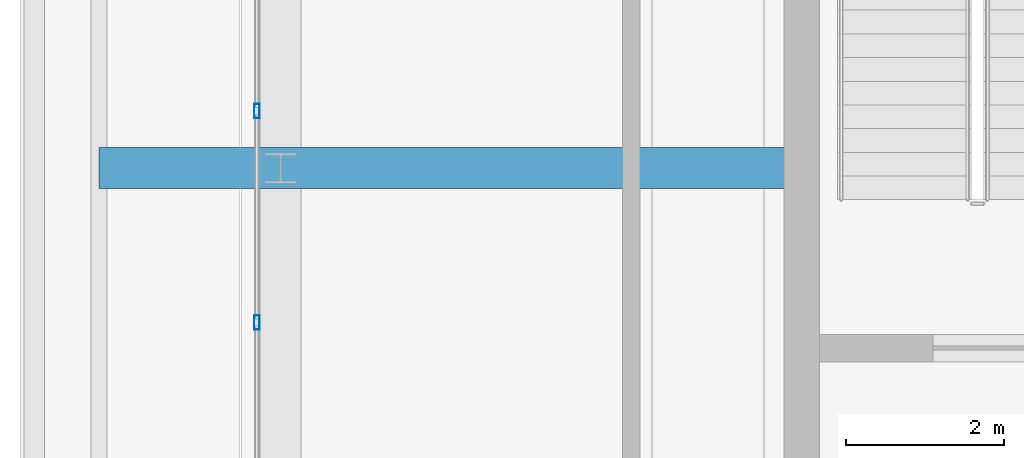
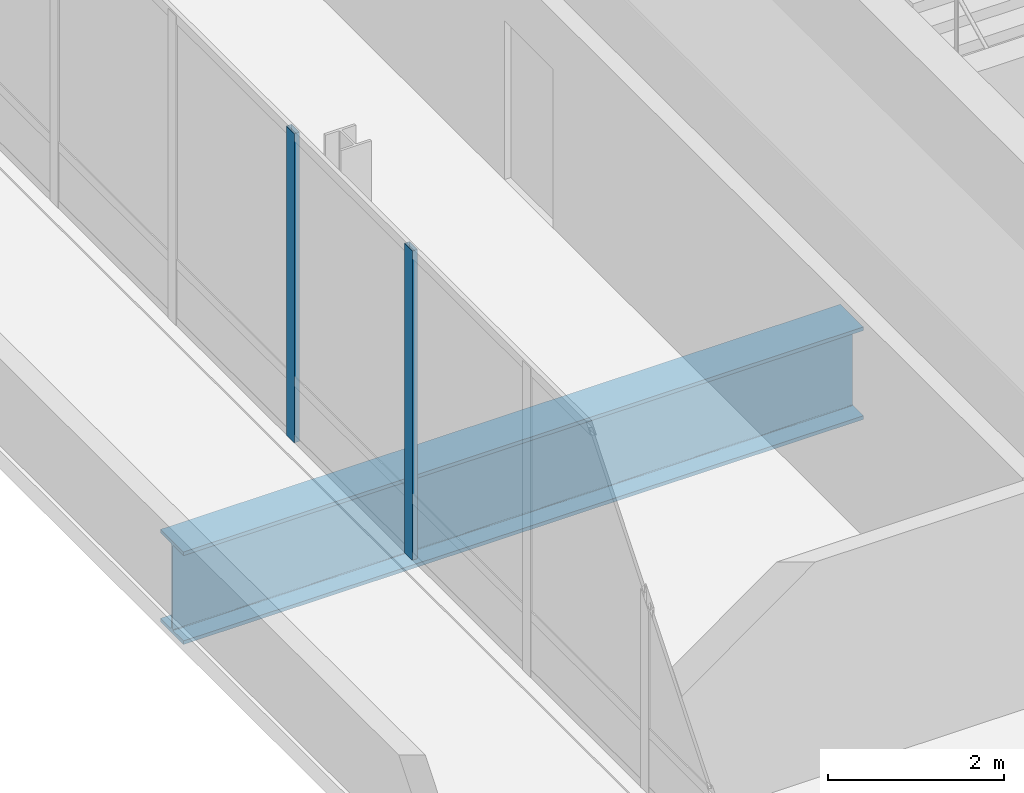
# One storey, part 3 of 28: 2 members, 1 beam, 1 element without a shape of its own.
"""IFC4 building model written with IfcOpenShell, lengths in metres."""

from ifc_helpers import new_model, si_unit, direction, frame, origin, origin_2d, place, context, subcontext, project, spatial, hollow_rectangle, i_section, extrude, material, material_profile, profile_set, type_object, element, aggregate, save


model = new_model("IFC4")

# Units and contexts
model_context = context("Model", 3, precision=1e-05, world=origin(), true_north=direction((0.0, 1.0)))
body_context = subcontext(model_context, "Body", "Model", "MODEL_VIEW")
ifc_project = project(units=[si_unit("LENGTHUNIT", "METRE"), si_unit("AREAUNIT", "SQUARE_METRE"), si_unit("VOLUMEUNIT", "CUBIC_METRE"), si_unit("PLANEANGLEUNIT", "RADIAN"), si_unit("MASSUNIT", "GRAM", prefix="KILO")], contexts=[model_context])

# Site, building, storey
site_placement = place(None, origin())
site = spatial("IfcSite", under=ifc_project, at=site_placement, CompositionType="ELEMENT")
building_placement = place(site_placement, origin())
building = spatial("IfcBuilding", under=site, at=building_placement, Name="Punatoya Terracotta Tower", CompositionType="ELEMENT")
storey_placement = place(building_placement, frame((0.0, 0.0, 352.800048828125)))
storey = spatial("IfcBuildingStorey", under=building, at=storey_placement, Name="L83", CompositionType="ELEMENT", Elevation=352.800048828125)

# Beam
ifc_material_1 = material(Name="Steel S460", Category="steel")
ifc_material_profile_1 = material_profile(ifc_material_1, i_section(OverallWidth=0.52001953125, OverallDepth=1.280029296875, WebThickness=0.031982421875, FlangeThickness=0.050048828125, FilletRadius=0.01806640625, at=origin_2d()))
ifc_profile_set_1 = profile_set([ifc_material_profile_1], Name="Steel S460")
beam_type = type_object("IfcBeamType", Name="BM-TG-NCK", PredefinedType="BEAM", material=ifc_profile_set_1)
beam_placement = place(storey_placement, frame((-19.10009765625, -3.39990234375, -0.920166015625), z_axis=(1.0, 0.0, 0.0), x_axis=(0.0, 1.0, 0.0)))
element("IfcBeam", 1, at=beam_placement, inside=storey, type_object=beam_type, Name="BM-L83-CW1", PredefinedType="BEAM", context=body_context, shape_type="SweptSolid", body=[
    extrude(i_section(OverallWidth=0.52001953125, OverallDepth=1.280029296875, WebThickness=0.031982421875, FlangeThickness=0.050048828125, FilletRadius=0.01806640625, at=origin_2d()), origin(), (0.0, 0.0, 1.0), 8.900146484375),
])

# Curtain wall, members
ifc_material_2 = material(Name="Aluminium 6063-T6 + Double Low-E Glass", Category="aluminium")
curtain_wall_type = type_object("IfcCurtainWallType", Name="CW-CRN", PredefinedType="NOTDEFINED", material=ifc_material_2)
curtain_wall_placement = place(storey_placement, origin())
curtain_wall = element("IfcCurtainWall", 2, at=curtain_wall_placement, inside=storey, type_object=curtain_wall_type, Name="L83 Curtain Wall CW-L83-W13-1", PredefinedType="NOTDEFINED")
ifc_material_3 = material(Name="Aluminium 6063-T6", Category="aluminium")
ifc_material_profile_2 = material_profile(ifc_material_3, hollow_rectangle(XDim=0.070068359375, YDim=0.179931640625, WallThickness=0.00390625, at=origin_2d()))
ifc_profile_set_2 = profile_set([ifc_material_profile_2], Name="Aluminium 6063-T6")
member_type = type_object("IfcMemberType", Name="CW-MUL-M3", PredefinedType="MULLION", material=ifc_profile_set_2)
member_1_placement = place(storey_placement, frame((-17.10009765625, -2.677490234375, 0.0), z_axis=(0.0, 0.0, 1.0), x_axis=(1.0, 0.0, 0.0)))
member_1 = element("IfcMember", 3, at=member_1_placement, type_object=member_type, Name="CW-L83-W13-1 Mullion 06", PredefinedType="MULLION", context=body_context, shape_type="SweptSolid", body=[
    extrude(hollow_rectangle(XDim=0.070068359375, YDim=0.179931640625, WallThickness=0.00390625, at=origin_2d()), origin(), (0.0, 0.0, 1.0), 4.280029296875),
])
member_2_placement = place(storey_placement, frame((-17.10009765625, -5.354736328125, 0.0), z_axis=(0.0, 0.0, 1.0), x_axis=(1.0, 0.0, 0.0)))
member_2 = element("IfcMember", 4, at=member_2_placement, type_object=member_type, Name="CW-L83-W13-1 Mullion 07", PredefinedType="MULLION", context=body_context, shape_type="SweptSolid", body=[
    extrude(hollow_rectangle(XDim=0.070068359375, YDim=0.179931640625, WallThickness=0.00390625, at=origin_2d()), origin(), (0.0, 0.0, 1.0), 4.280029296875),
])
aggregate(curtain_wall, [member_1, member_2])

save(model, "model.ifc")
